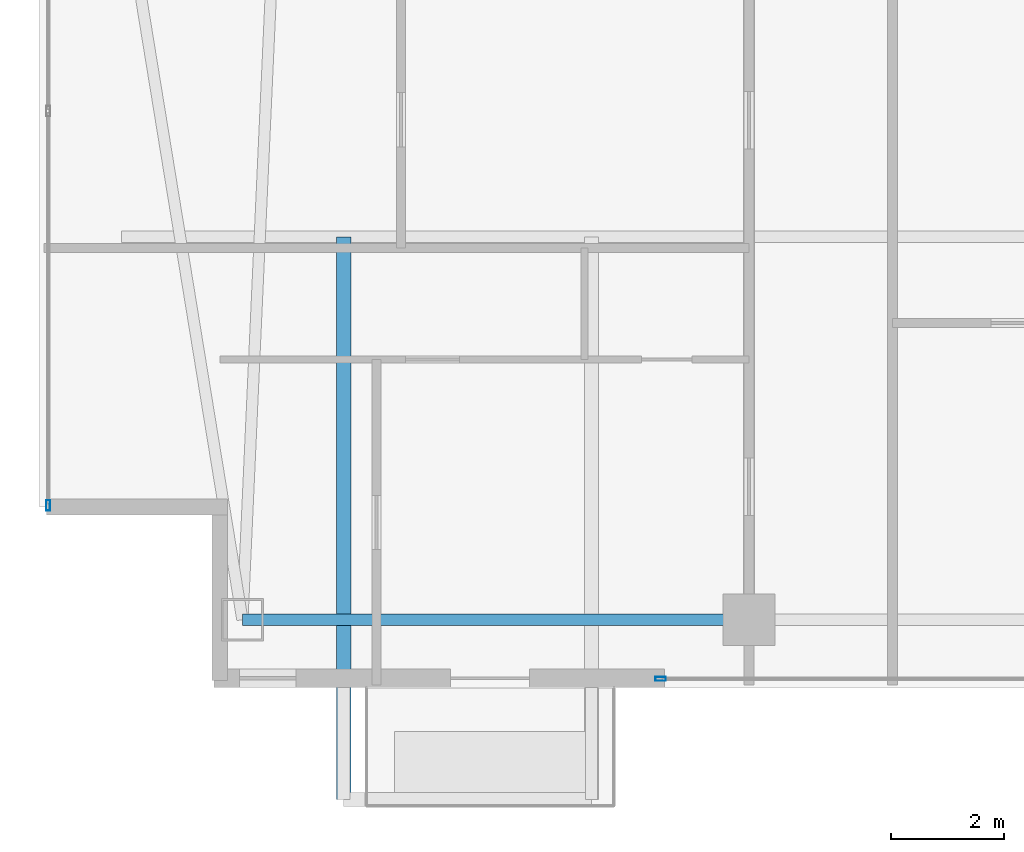
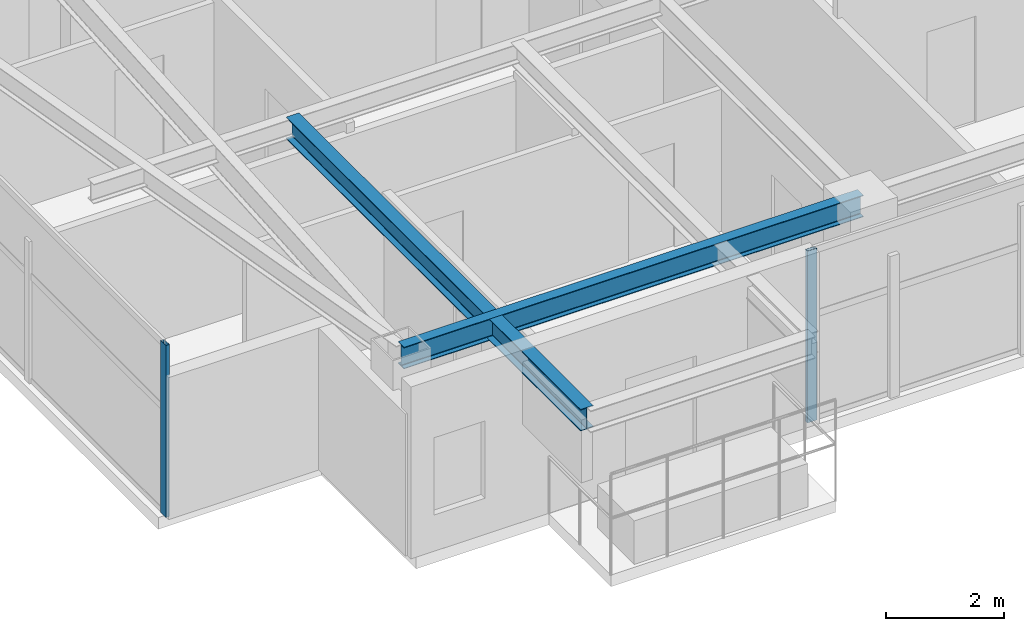
# One storey, part 2 of 30: 2 beams, 2 members, 2 elements without a shape of their own.
"""IFC4 building model written with IfcOpenShell, lengths in metres."""

from ifc_helpers import new_model, si_unit, direction, frame, origin, origin_2d, place, context, subcontext, project, spatial, hollow_rectangle, i_section, extrude, material, layer, layer_set, material_profile, profile_set, type_object, element, aggregate, save


model = new_model("IFC4")

# Units and contexts
model_context = context("Model", 3, precision=1e-05, world=origin(), true_north=direction((0.0, 1.0)))
body_context = subcontext(model_context, "Body", "Model", "MODEL_VIEW")
ifc_project = project(units=[si_unit("LENGTHUNIT", "METRE"), si_unit("AREAUNIT", "SQUARE_METRE"), si_unit("VOLUMEUNIT", "CUBIC_METRE"), si_unit("PLANEANGLEUNIT", "RADIAN"), si_unit("MASSUNIT", "GRAM", prefix="KILO")], contexts=[model_context])

# Site, building, storey
site_placement = place(None, origin())
site = spatial("IfcSite", under=ifc_project, at=site_placement, CompositionType="ELEMENT")
building_placement = place(site_placement, origin())
building = spatial("IfcBuilding", under=site, at=building_placement, Name="Calvorn Quay Hotel", CompositionType="ELEMENT")
storey_placement = place(building_placement, frame((0.0, 0.0, 203.39990234375)))
storey = spatial("IfcBuildingStorey", under=building, at=storey_placement, Name="L50", CompositionType="ELEMENT", Elevation=203.39990234375)

# Beams
ifc_material_1 = material(Name="Steel Q355B", Category="steel")
ifc_material_profile_1 = material_profile(ifc_material_1, i_section(OverallWidth=0.25, OverallDepth=0.449951171875, WebThickness=0.011962890625, FlangeThickness=0.01611328125, FilletRadius=0.01611328125, at=origin_2d()), Name="HN450x250x12x16")
ifc_profile_set_1 = profile_set([ifc_material_profile_1], Name="Steel Q355B")
beam_type_1 = type_object("IfcBeamType", Name="BM-CANT-BALC", PredefinedType="BEAM", material=ifc_profile_set_1)
beam_1_placement = place(storey_placement, frame((5.39990234375, 10.39990234375, 3.315185546875), z_axis=(0.0, -1.0, 0.0), x_axis=(1.0, 0.0, 0.0)))
element("IfcBeam", 1, at=beam_1_placement, inside=storey, type_object=beam_type_1, Name="Cantilever Balcony Beam BCB-L51-2A", PredefinedType="BEAM", context=body_context, shape_type="SweptSolid", body=[
    extrude(i_section(OverallWidth=0.25, OverallDepth=0.449951171875, WebThickness=0.011962890625, FlangeThickness=0.01611328125, FilletRadius=0.01611328125, at=origin_2d()), origin(), (0.0, 0.0, 1.0), 9.989990234375),
])
ifc_material_2 = material(Name="Steel Q355B", Category="steel")
ifc_material_profile_2 = material_profile(ifc_material_2, i_section(OverallWidth=0.199951171875, OverallDepth=0.449951171875, WebThickness=0.009033203125, FlangeThickness=0.013916015625, FilletRadius=0.01611328125, at=origin_2d()), Name="HN450x200x9x14")
ifc_profile_set_2 = profile_set([ifc_material_profile_2], Name="Steel Q355B")
beam_type_2 = type_object("IfcBeamType", Name="BM-SPANDREL-Z3", PredefinedType="SPANDREL", material=ifc_profile_set_2)
beam_2_placement = place(storey_placement, frame((3.60009765625, 3.60009765625, 3.315185546875), z_axis=(1.0, 0.0, 0.0), x_axis=(0.0, 1.0, 0.0)))
element("IfcBeam", 2, at=beam_2_placement, inside=storey, type_object=beam_type_2, Name="Beam BSP-L50-S1", PredefinedType="SPANDREL", context=body_context, shape_type="SweptSolid", body=[
    extrude(i_section(OverallWidth=0.199951171875, OverallDepth=0.449951171875, WebThickness=0.009033203125, FlangeThickness=0.013916015625, FilletRadius=0.01611328125, at=origin_2d()), origin(), (0.0, 0.0, 1.0), 9.0),
])

# Curtain wall, member
ifc_material_3 = material(Name="Champagne Bronze Anodised Aluminium and Low-E Glass", Category="aluminium")
ifc_layer = layer(ifc_material_3, 0.219970703125)
ifc_layer_set = layer_set([ifc_layer], Name="CW-SYS-Z3")
curtain_wall_type = type_object("IfcCurtainWallType", Name="CW-SYS-Z3", PredefinedType="NOTDEFINED", material=ifc_layer_set)
curtain_wall_1_placement = place(storey_placement, origin())
curtain_wall_1 = element("IfcCurtainWall", 3, at=curtain_wall_1_placement, inside=storey, type_object=curtain_wall_type, Name="Tower West Curtain Wall (L50)", PredefinedType="NOTDEFINED")
ifc_material_4 = material(Name="Champagne Bronze Anodised Aluminium 6063-T6", Category="aluminium")
ifc_material_profile_3 = material_profile(ifc_material_4, hollow_rectangle(XDim=0.068115234375, YDim=0.18505859375, WallThickness=0.00390625, at=origin_2d()), Name="ALU-M185x68x4")
ifc_profile_set_3 = profile_set([ifc_material_profile_3], Name="Champagne Bronze Anodised Aluminium 6063-T6")
member_type = type_object("IfcMemberType", Name="CW-SYS-Z3-MUL", PredefinedType="MULLION", material=ifc_profile_set_3)
member_1_placement = place(storey_placement, frame((0.14990234375, 5.6298828125, 0.0), z_axis=(0.0, 0.0, 1.0), x_axis=(-1.0, 0.0, 0.0)))
member_1 = element("IfcMember", 4, at=member_1_placement, type_object=member_type, Name="CW-L50-W mullion 1", PredefinedType="MULLION", context=body_context, shape_type="SweptSolid", body=[
    extrude(hollow_rectangle(XDim=0.068115234375, YDim=0.18505859375, WallThickness=0.00390625, at=origin_2d()), origin(), (0.0, 0.0, 1.0), 3.56005859375),
])
aggregate(curtain_wall_1, [member_1])

curtain_wall_2_placement = place(storey_placement, origin())
curtain_wall_2 = element("IfcCurtainWall", 5, at=curtain_wall_2_placement, inside=storey, type_object=curtain_wall_type, Name="Tower South Waterfront Curtain Wall (L50)", PredefinedType="NOTDEFINED")
member_2_placement = place(storey_placement, frame((11.030029296875, 2.550048828125, 0.0), z_axis=(0.0, 0.0, 1.0), x_axis=(0.0, 1.0, 0.0)))
member_2 = element("IfcMember", 6, at=member_2_placement, type_object=member_type, Name="CW-L50-S mullion 1", PredefinedType="MULLION", context=body_context, shape_type="SweptSolid", body=[
    extrude(hollow_rectangle(XDim=0.068115234375, YDim=0.18505859375, WallThickness=0.00390625, at=origin_2d()), origin(), (0.0, 0.0, 1.0), 3.56005859375),
])
aggregate(curtain_wall_2, [member_2])

save(model, "model.ifc")
